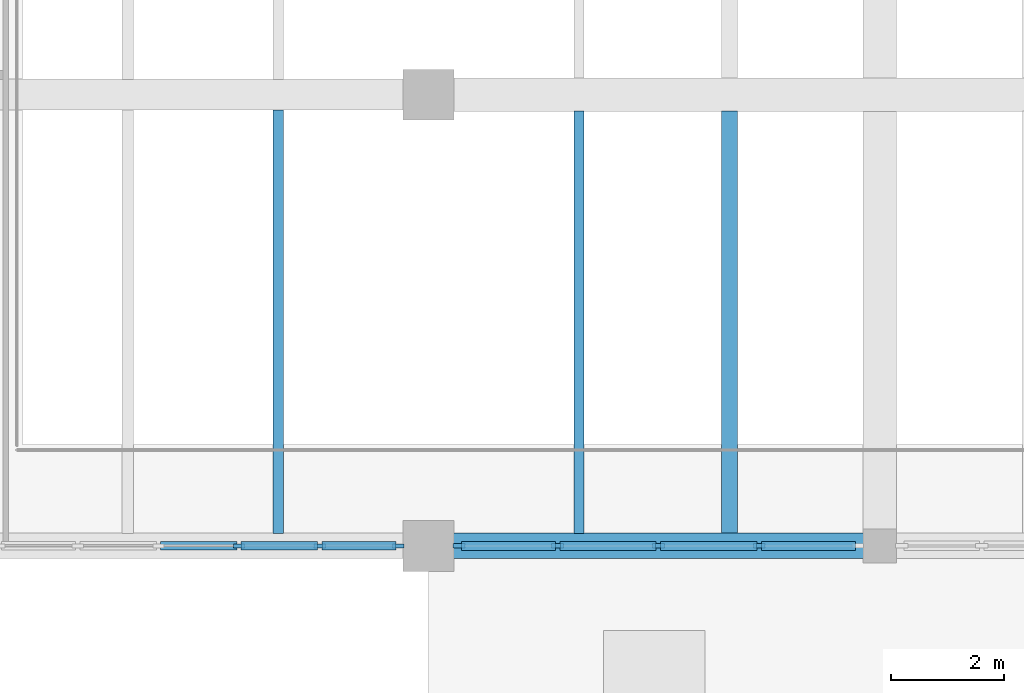
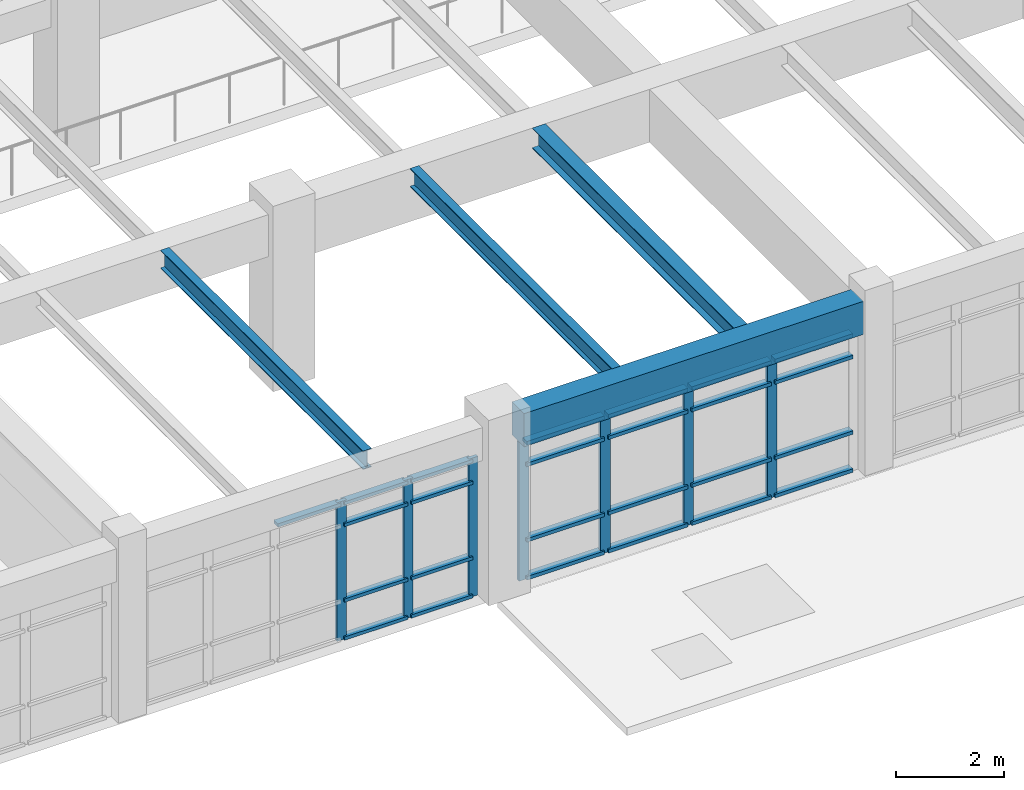
# One storey, part 6 of 67: 32 members, 4 beams, 2 elements without a shape of their own.
"""IFC4 building model written with IfcOpenShell, lengths in metres."""

from ifc_helpers import new_model, si_unit, direction, frame, origin, origin_2d, place, context, subcontext, project, spatial, rectangle, i_section, extrude, material, material_profile, profile_set, type_object, element, aggregate, save


model = new_model("IFC4")

# Units and contexts
model_context = context("Model", 3, precision=1e-05, world=origin(), true_north=direction((0.0, 1.0)))
body_context = subcontext(model_context, "Body", "Model", "MODEL_VIEW")
ifc_project = project(units=[si_unit("LENGTHUNIT", "METRE"), si_unit("AREAUNIT", "SQUARE_METRE"), si_unit("VOLUMEUNIT", "CUBIC_METRE"), si_unit("PLANEANGLEUNIT", "RADIAN"), si_unit("MASSUNIT", "GRAM", prefix="KILO")], contexts=[model_context])

# Site, building, storey
site_placement = place(None, origin())
site = spatial("IfcSite", under=ifc_project, at=site_placement, CompositionType="ELEMENT")
building_placement = place(site_placement, origin())
building = spatial("IfcBuilding", under=site, at=building_placement, Name="Tlaxcora Railside Police Headquarters", CompositionType="ELEMENT")
storey_placement = place(building_placement, frame((0.0, 0.0, 4.800048828125)))
storey = spatial("IfcBuildingStorey", under=building, at=storey_placement, Name="L01", CompositionType="ELEMENT", Elevation=4.800048828125)

# Curtain wall, members
ifc_material_1 = material(Name="Thermally broken low-E insulated glazing", Category="glass")
curtain_wall_type_1 = type_object("IfcCurtainWallType", Name="Unitised Curtain Wall Assembly CW-15", PredefinedType="NOTDEFINED", material=ifc_material_1)
curtain_wall_1_placement = place(storey_placement, origin())
curtain_wall_1 = element("IfcCurtainWall", 1, at=curtain_wall_1_placement, inside=storey, type_object=curtain_wall_type_1, Name="V1 L01 curtain wall 6", PredefinedType="NOTDEFINED")
ifc_material_2 = material(Name="Anodised aluminium framing", Category="aluminium")
ifc_material_profile_1 = material_profile(ifc_material_2, rectangle(XDim=0.074951171875, YDim=0.199951171875, at=origin_2d()), Name="AL75X200")
ifc_profile_set_1 = profile_set([ifc_material_profile_1], Name="Anodised aluminium framing")
member_type_1 = type_object("IfcMemberType", Name="Curtain Wall Mullion CW-58", PredefinedType="MULLION", material=ifc_profile_set_1)
member_1_placement = place(storey_placement, frame((58.639892578125, 36.0, 0.0), z_axis=(0.0, 0.0, 1.0), x_axis=(0.0, 1.0, 0.0)))
member_1 = element("IfcMember", 2, at=member_1_placement, type_object=member_type_1, Name="CW mullion 4", PredefinedType="MULLION", context=body_context, shape_type="SweptSolid", body=[
    extrude(rectangle(XDim=0.074951171875, YDim=0.199951171875, at=origin_2d()), origin(), (0.0, 0.0, 1.0), 3.139892578125),
])
member_2_placement = place(storey_placement, frame((60.070068359375, 36.0, 0.0), z_axis=(0.0, 0.0, 1.0), x_axis=(0.0, 1.0, 0.0)))
member_2 = element("IfcMember", 3, at=member_2_placement, type_object=member_type_1, Name="CW mullion 5", PredefinedType="MULLION", context=body_context, shape_type="SweptSolid", body=[
    extrude(rectangle(XDim=0.074951171875, YDim=0.199951171875, at=origin_2d()), origin(), (0.0, 0.0, 1.0), 3.139892578125),
])
member_3_placement = place(storey_placement, frame((61.46240234375, 36.0, 0.0), z_axis=(0.0, 0.0, 1.0), x_axis=(0.0, 1.0, 0.0)))
member_3 = element("IfcMember", 4, at=member_3_placement, type_object=member_type_1, Name="CW mullion 6", PredefinedType="MULLION", context=body_context, shape_type="SweptSolid", body=[
    extrude(rectangle(XDim=0.074951171875, YDim=0.199951171875, at=origin_2d()), origin(), (0.0, 0.0, 1.0), 3.139892578125),
])

curtain_wall_type_2 = type_object("IfcCurtainWallType", Name="Unitised Curtain Wall Assembly CW-83", PredefinedType="NOTDEFINED", material=ifc_material_1)
curtain_wall_2_placement = place(storey_placement, origin())
curtain_wall_2 = element("IfcCurtainWall", 5, at=curtain_wall_2_placement, inside=storey, type_object=curtain_wall_type_2, Name="V1 L01 curtain wall 7", PredefinedType="NOTDEFINED")
ifc_material_profile_2 = material_profile(ifc_material_2, rectangle(XDim=0.080078125, YDim=0.2099609375, at=origin_2d()), Name="AL80X210")
ifc_profile_set_2 = profile_set([ifc_material_profile_2], Name="Anodised aluminium framing")
member_type_2 = type_object("IfcMemberType", Name="Curtain Wall Mullion CW-76", PredefinedType="MULLION", material=ifc_profile_set_2)
member_4_placement = place(storey_placement, frame((62.5400390625, 36.0, 0.0), z_axis=(0.0, 0.0, 1.0), x_axis=(0.0, 1.0, 0.0)))
member_4 = element("IfcMember", 6, at=member_4_placement, type_object=member_type_2, Name="CW mullion 1", PredefinedType="MULLION", context=body_context, shape_type="SweptSolid", body=[
    extrude(rectangle(XDim=0.080078125, YDim=0.2099609375, at=origin_2d()), origin(), (0.0, 0.0, 1.0), 3.139892578125),
])
member_5_placement = place(storey_placement, frame((64.28759765625, 36.0, 0.0), z_axis=(0.0, 0.0, 1.0), x_axis=(0.0, 1.0, 0.0)))
member_5 = element("IfcMember", 7, at=member_5_placement, type_object=member_type_2, Name="CW mullion 2", PredefinedType="MULLION", context=body_context, shape_type="SweptSolid", body=[
    extrude(rectangle(XDim=0.080078125, YDim=0.2099609375, at=origin_2d()), origin(), (0.0, 0.0, 1.0), 3.139892578125),
])
member_6_placement = place(storey_placement, frame((66.074951171875, 36.0, 0.0), z_axis=(0.0, 0.0, 1.0), x_axis=(0.0, 1.0, 0.0)))
member_6 = element("IfcMember", 8, at=member_6_placement, type_object=member_type_2, Name="CW mullion 3", PredefinedType="MULLION", context=body_context, shape_type="SweptSolid", body=[
    extrude(rectangle(XDim=0.080078125, YDim=0.2099609375, at=origin_2d()), origin(), (0.0, 0.0, 1.0), 3.139892578125),
])
member_7_placement = place(storey_placement, frame((67.862548828125, 36.0, 0.0), z_axis=(0.0, 0.0, 1.0), x_axis=(0.0, 1.0, 0.0)))
member_7 = element("IfcMember", 9, at=member_7_placement, type_object=member_type_2, Name="CW mullion 4", PredefinedType="MULLION", context=body_context, shape_type="SweptSolid", body=[
    extrude(rectangle(XDim=0.080078125, YDim=0.2099609375, at=origin_2d()), origin(), (0.0, 0.0, 1.0), 3.139892578125),
])

# Member
ifc_material_profile_3 = material_profile(ifc_material_2, rectangle(XDim=0.14990234375, YDim=0.074951171875, at=origin_2d()), Name="AL75X150")
ifc_profile_set_3 = profile_set([ifc_material_profile_3], Name="Anodised aluminium framing")
member_type_3 = type_object("IfcMemberType", Name="Curtain Wall Transom CW-28", PredefinedType="USERDEFINED", material=ifc_profile_set_3)
member_8_placement = place(storey_placement, frame((57.24755859375, 36.0, 3.1025390625), z_axis=(1.0, 0.0, 0.0), x_axis=(0.0, 1.0, 0.0)))
member_8 = element("IfcMember", 10, at=member_8_placement, type_object=member_type_3, Name="CW transom 3.4", ObjectType="TRANSOM", PredefinedType="USERDEFINED", context=body_context, shape_type="SweptSolid", body=[
    extrude(rectangle(XDim=0.14990234375, YDim=0.074951171875, at=origin_2d()), origin(), (0.0, 0.0, 1.0), 1.35498046875),
])

member_9_placement = place(storey_placement, frame((58.677490234375, 36.0, 0.037353515625), z_axis=(1.0, 0.0, 0.0), x_axis=(0.0, 1.0, 0.0)))
member_9 = element("IfcMember", 11, at=member_9_placement, type_object=member_type_3, Name="CW transom 4.1", ObjectType="TRANSOM", PredefinedType="USERDEFINED", context=body_context, shape_type="SweptSolid", body=[
    extrude(rectangle(XDim=0.14990234375, YDim=0.074951171875, at=origin_2d()), origin(), (0.0, 0.0, 1.0), 1.35498046875),
])

member_10_placement = place(storey_placement, frame((58.677490234375, 36.0, 0.89990234375), z_axis=(1.0, 0.0, 0.0), x_axis=(0.0, 1.0, 0.0)))
member_10 = element("IfcMember", 12, at=member_10_placement, type_object=member_type_3, Name="CW transom 4.2", ObjectType="TRANSOM", PredefinedType="USERDEFINED", context=body_context, shape_type="SweptSolid", body=[
    extrude(rectangle(XDim=0.14990234375, YDim=0.074951171875, at=origin_2d()), origin(), (0.0, 0.0, 1.0), 1.35498046875),
])

member_11_placement = place(storey_placement, frame((58.677490234375, 36.0, 2.60986328125), z_axis=(1.0, 0.0, 0.0), x_axis=(0.0, 1.0, 0.0)))
member_11 = element("IfcMember", 13, at=member_11_placement, type_object=member_type_3, Name="CW transom 4.3", ObjectType="TRANSOM", PredefinedType="USERDEFINED", context=body_context, shape_type="SweptSolid", body=[
    extrude(rectangle(XDim=0.14990234375, YDim=0.074951171875, at=origin_2d()), origin(), (0.0, 0.0, 1.0), 1.35498046875),
])

member_12_placement = place(storey_placement, frame((58.677490234375, 36.0, 3.1025390625), z_axis=(1.0, 0.0, 0.0), x_axis=(0.0, 1.0, 0.0)))
member_12 = element("IfcMember", 14, at=member_12_placement, type_object=member_type_3, Name="CW transom 4.4", ObjectType="TRANSOM", PredefinedType="USERDEFINED", context=body_context, shape_type="SweptSolid", body=[
    extrude(rectangle(XDim=0.14990234375, YDim=0.074951171875, at=origin_2d()), origin(), (0.0, 0.0, 1.0), 1.35498046875),
])

member_13_placement = place(storey_placement, frame((60.107421875, 36.0, 0.037353515625), z_axis=(1.0, 0.0, 0.0), x_axis=(0.0, 1.0, 0.0)))
member_13 = element("IfcMember", 15, at=member_13_placement, type_object=member_type_3, Name="CW transom 5.1", ObjectType="TRANSOM", PredefinedType="USERDEFINED", context=body_context, shape_type="SweptSolid", body=[
    extrude(rectangle(XDim=0.14990234375, YDim=0.074951171875, at=origin_2d()), origin(), (0.0, 0.0, 1.0), 1.317626953125),
])

member_14_placement = place(storey_placement, frame((60.107421875, 36.0, 0.89990234375), z_axis=(1.0, 0.0, 0.0), x_axis=(0.0, 1.0, 0.0)))
member_14 = element("IfcMember", 16, at=member_14_placement, type_object=member_type_3, Name="CW transom 5.2", ObjectType="TRANSOM", PredefinedType="USERDEFINED", context=body_context, shape_type="SweptSolid", body=[
    extrude(rectangle(XDim=0.14990234375, YDim=0.074951171875, at=origin_2d()), origin(), (0.0, 0.0, 1.0), 1.317626953125),
])

member_15_placement = place(storey_placement, frame((60.107421875, 36.0, 2.60986328125), z_axis=(1.0, 0.0, 0.0), x_axis=(0.0, 1.0, 0.0)))
member_15 = element("IfcMember", 17, at=member_15_placement, type_object=member_type_3, Name="CW transom 5.3", ObjectType="TRANSOM", PredefinedType="USERDEFINED", context=body_context, shape_type="SweptSolid", body=[
    extrude(rectangle(XDim=0.14990234375, YDim=0.074951171875, at=origin_2d()), origin(), (0.0, 0.0, 1.0), 1.317626953125),
])

member_16_placement = place(storey_placement, frame((60.107421875, 36.0, 3.1025390625), z_axis=(1.0, 0.0, 0.0), x_axis=(0.0, 1.0, 0.0)))
member_16 = element("IfcMember", 18, at=member_16_placement, type_object=member_type_3, Name="CW transom 5.4", ObjectType="TRANSOM", PredefinedType="USERDEFINED", context=body_context, shape_type="SweptSolid", body=[
    extrude(rectangle(XDim=0.14990234375, YDim=0.074951171875, at=origin_2d()), origin(), (0.0, 0.0, 1.0), 1.317626953125),
])

aggregate(curtain_wall_1, [member_1, member_2, member_3, member_8, member_9, member_10, member_11, member_12, member_13, member_14, member_15, member_16])

ifc_material_profile_4 = material_profile(ifc_material_2, rectangle(XDim=0.159912109375, YDim=0.080078125, at=origin_2d()), Name="AL80X160")
ifc_profile_set_4 = profile_set([ifc_material_profile_4], Name="Anodised aluminium framing")
member_type_4 = type_object("IfcMemberType", Name="Curtain Wall Transom CW-82", PredefinedType="USERDEFINED", material=ifc_profile_set_4)
member_17_placement = place(storey_placement, frame((62.580078125, 36.0, 0.0400390625), z_axis=(1.0, 0.0, 0.0), x_axis=(0.0, 1.0, 0.0)))
member_17 = element("IfcMember", 19, at=member_17_placement, type_object=member_type_4, Name="CW transom 1.1", ObjectType="TRANSOM", PredefinedType="USERDEFINED", context=body_context, shape_type="SweptSolid", body=[
    extrude(rectangle(XDim=0.159912109375, YDim=0.080078125, at=origin_2d()), origin(), (0.0, 0.0, 1.0), 1.66748046875),
])

member_18_placement = place(storey_placement, frame((62.580078125, 36.0, 0.89990234375), z_axis=(1.0, 0.0, 0.0), x_axis=(0.0, 1.0, 0.0)))
member_18 = element("IfcMember", 20, at=member_18_placement, type_object=member_type_4, Name="CW transom 1.2", ObjectType="TRANSOM", PredefinedType="USERDEFINED", context=body_context, shape_type="SweptSolid", body=[
    extrude(rectangle(XDim=0.159912109375, YDim=0.080078125, at=origin_2d()), origin(), (0.0, 0.0, 1.0), 1.66748046875),
])

member_19_placement = place(storey_placement, frame((62.580078125, 36.0, 2.60986328125), z_axis=(1.0, 0.0, 0.0), x_axis=(0.0, 1.0, 0.0)))
member_19 = element("IfcMember", 21, at=member_19_placement, type_object=member_type_4, Name="CW transom 1.3", ObjectType="TRANSOM", PredefinedType="USERDEFINED", context=body_context, shape_type="SweptSolid", body=[
    extrude(rectangle(XDim=0.159912109375, YDim=0.080078125, at=origin_2d()), origin(), (0.0, 0.0, 1.0), 1.66748046875),
])

member_20_placement = place(storey_placement, frame((62.580078125, 36.0, 3.099853515625), z_axis=(1.0, 0.0, 0.0), x_axis=(0.0, 1.0, 0.0)))
member_20 = element("IfcMember", 22, at=member_20_placement, type_object=member_type_4, Name="CW transom 1.4", ObjectType="TRANSOM", PredefinedType="USERDEFINED", context=body_context, shape_type="SweptSolid", body=[
    extrude(rectangle(XDim=0.159912109375, YDim=0.080078125, at=origin_2d()), origin(), (0.0, 0.0, 1.0), 1.66748046875),
])

member_21_placement = place(storey_placement, frame((64.327392578125, 36.0, 0.0400390625), z_axis=(1.0, 0.0, 0.0), x_axis=(0.0, 1.0, 0.0)))
member_21 = element("IfcMember", 23, at=member_21_placement, type_object=member_type_4, Name="CW transom 2.1", ObjectType="TRANSOM", PredefinedType="USERDEFINED", context=body_context, shape_type="SweptSolid", body=[
    extrude(rectangle(XDim=0.159912109375, YDim=0.080078125, at=origin_2d()), origin(), (0.0, 0.0, 1.0), 1.70751953125),
])

member_22_placement = place(storey_placement, frame((64.327392578125, 36.0, 0.89990234375), z_axis=(1.0, 0.0, 0.0), x_axis=(0.0, 1.0, 0.0)))
member_22 = element("IfcMember", 24, at=member_22_placement, type_object=member_type_4, Name="CW transom 2.2", ObjectType="TRANSOM", PredefinedType="USERDEFINED", context=body_context, shape_type="SweptSolid", body=[
    extrude(rectangle(XDim=0.159912109375, YDim=0.080078125, at=origin_2d()), origin(), (0.0, 0.0, 1.0), 1.70751953125),
])

member_23_placement = place(storey_placement, frame((64.327392578125, 36.0, 2.60986328125), z_axis=(1.0, 0.0, 0.0), x_axis=(0.0, 1.0, 0.0)))
member_23 = element("IfcMember", 25, at=member_23_placement, type_object=member_type_4, Name="CW transom 2.3", ObjectType="TRANSOM", PredefinedType="USERDEFINED", context=body_context, shape_type="SweptSolid", body=[
    extrude(rectangle(XDim=0.159912109375, YDim=0.080078125, at=origin_2d()), origin(), (0.0, 0.0, 1.0), 1.70751953125),
])

member_24_placement = place(storey_placement, frame((64.327392578125, 36.0, 3.099853515625), z_axis=(1.0, 0.0, 0.0), x_axis=(0.0, 1.0, 0.0)))
member_24 = element("IfcMember", 26, at=member_24_placement, type_object=member_type_4, Name="CW transom 2.4", ObjectType="TRANSOM", PredefinedType="USERDEFINED", context=body_context, shape_type="SweptSolid", body=[
    extrude(rectangle(XDim=0.159912109375, YDim=0.080078125, at=origin_2d()), origin(), (0.0, 0.0, 1.0), 1.70751953125),
])

member_25_placement = place(storey_placement, frame((66.114990234375, 36.0, 0.0400390625), z_axis=(1.0, 0.0, 0.0), x_axis=(0.0, 1.0, 0.0)))
member_25 = element("IfcMember", 27, at=member_25_placement, type_object=member_type_4, Name="CW transom 3.1", ObjectType="TRANSOM", PredefinedType="USERDEFINED", context=body_context, shape_type="SweptSolid", body=[
    extrude(rectangle(XDim=0.159912109375, YDim=0.080078125, at=origin_2d()), origin(), (0.0, 0.0, 1.0), 1.70751953125),
])

member_26_placement = place(storey_placement, frame((66.114990234375, 36.0, 0.89990234375), z_axis=(1.0, 0.0, 0.0), x_axis=(0.0, 1.0, 0.0)))
member_26 = element("IfcMember", 28, at=member_26_placement, type_object=member_type_4, Name="CW transom 3.2", ObjectType="TRANSOM", PredefinedType="USERDEFINED", context=body_context, shape_type="SweptSolid", body=[
    extrude(rectangle(XDim=0.159912109375, YDim=0.080078125, at=origin_2d()), origin(), (0.0, 0.0, 1.0), 1.70751953125),
])

member_27_placement = place(storey_placement, frame((66.114990234375, 36.0, 2.60986328125), z_axis=(1.0, 0.0, 0.0), x_axis=(0.0, 1.0, 0.0)))
member_27 = element("IfcMember", 29, at=member_27_placement, type_object=member_type_4, Name="CW transom 3.3", ObjectType="TRANSOM", PredefinedType="USERDEFINED", context=body_context, shape_type="SweptSolid", body=[
    extrude(rectangle(XDim=0.159912109375, YDim=0.080078125, at=origin_2d()), origin(), (0.0, 0.0, 1.0), 1.70751953125),
])

member_28_placement = place(storey_placement, frame((66.114990234375, 36.0, 3.099853515625), z_axis=(1.0, 0.0, 0.0), x_axis=(0.0, 1.0, 0.0)))
member_28 = element("IfcMember", 30, at=member_28_placement, type_object=member_type_4, Name="CW transom 3.4", ObjectType="TRANSOM", PredefinedType="USERDEFINED", context=body_context, shape_type="SweptSolid", body=[
    extrude(rectangle(XDim=0.159912109375, YDim=0.080078125, at=origin_2d()), origin(), (0.0, 0.0, 1.0), 1.70751953125),
])

member_29_placement = place(storey_placement, frame((67.902587890625, 36.0, 0.0400390625), z_axis=(1.0, 0.0, 0.0), x_axis=(0.0, 1.0, 0.0)))
member_29 = element("IfcMember", 31, at=member_29_placement, type_object=member_type_4, Name="CW transom 4.1", ObjectType="TRANSOM", PredefinedType="USERDEFINED", context=body_context, shape_type="SweptSolid", body=[
    extrude(rectangle(XDim=0.159912109375, YDim=0.080078125, at=origin_2d()), origin(), (0.0, 0.0, 1.0), 1.66748046875),
])

member_30_placement = place(storey_placement, frame((67.902587890625, 36.0, 0.89990234375), z_axis=(1.0, 0.0, 0.0), x_axis=(0.0, 1.0, 0.0)))
member_30 = element("IfcMember", 32, at=member_30_placement, type_object=member_type_4, Name="CW transom 4.2", ObjectType="TRANSOM", PredefinedType="USERDEFINED", context=body_context, shape_type="SweptSolid", body=[
    extrude(rectangle(XDim=0.159912109375, YDim=0.080078125, at=origin_2d()), origin(), (0.0, 0.0, 1.0), 1.66748046875),
])

member_31_placement = place(storey_placement, frame((67.902587890625, 36.0, 2.60986328125), z_axis=(1.0, 0.0, 0.0), x_axis=(0.0, 1.0, 0.0)))
member_31 = element("IfcMember", 33, at=member_31_placement, type_object=member_type_4, Name="CW transom 4.3", ObjectType="TRANSOM", PredefinedType="USERDEFINED", context=body_context, shape_type="SweptSolid", body=[
    extrude(rectangle(XDim=0.159912109375, YDim=0.080078125, at=origin_2d()), origin(), (0.0, 0.0, 1.0), 1.66748046875),
])

member_32_placement = place(storey_placement, frame((67.902587890625, 36.0, 3.099853515625), z_axis=(1.0, 0.0, 0.0), x_axis=(0.0, 1.0, 0.0)))
member_32 = element("IfcMember", 34, at=member_32_placement, type_object=member_type_4, Name="CW transom 4.4", ObjectType="TRANSOM", PredefinedType="USERDEFINED", context=body_context, shape_type="SweptSolid", body=[
    extrude(rectangle(XDim=0.159912109375, YDim=0.080078125, at=origin_2d()), origin(), (0.0, 0.0, 1.0), 1.66748046875),
])

aggregate(curtain_wall_2, [member_4, member_5, member_6, member_7, member_17, member_18, member_19, member_20, member_21, member_22, member_23, member_24, member_25, member_26, member_27, member_28, member_29, member_30, member_31, member_32])

# Beams
ifc_material_3 = material(Name="Concrete C40/50", Category="concrete")
ifc_material_profile_5 = material_profile(ifc_material_3, rectangle(XDim=0.449951171875, YDim=0.75, at=origin_2d()), Name="RC450X750")
ifc_profile_set_5 = profile_set([ifc_material_profile_5], Name="Concrete C40/50")
beam_type_1 = type_object("IfcBeamType", Name="Perimeter Spandrel Beam BM-86", PredefinedType="SPANDREL", material=ifc_profile_set_5)
beam_1_placement = place(storey_placement, frame((62.43994140625, 36.0, 3.534912109375), z_axis=(1.0, 0.0, 0.0), x_axis=(0.0, 1.0, 0.0)))
element("IfcBeam", 35, at=beam_1_placement, inside=storey, type_object=beam_type_1, Name="V1 L01 X-girder Y=36.0", PredefinedType="SPANDREL", context=body_context, shape_type="SweptSolid", body=[
    extrude(rectangle(XDim=0.449951171875, YDim=0.75, at=origin_2d()), origin(), (0.0, 0.0, 1.0), 7.27001953125),
])
ifc_material_4 = material(Name="Steel ASTM A992 Grade 50", Category="steel")
ifc_material_profile_6 = material_profile(ifc_material_4, i_section(OverallWidth=0.280029296875, OverallDepth=0.4619140625, WebThickness=0.0107421875, FlangeThickness=0.017333984375, at=origin_2d()), Name="W18X76")
ifc_profile_set_6 = profile_set([ifc_material_profile_6], Name="Steel ASTM A992 Grade 50")
beam_type_2 = type_object("IfcBeamType", Name="Secondary Floor Joist BM-44", PredefinedType="JOIST", material=ifc_profile_set_6)
beam_2_placement = place(storey_placement, frame((67.333251953125, 36.217041015625, 3.678955078125), z_axis=(0.0, 1.0, 0.0), x_axis=(-1.0, 0.0, 0.0)))
element("IfcBeam", 36, at=beam_2_placement, inside=storey, type_object=beam_type_2, Name="V1 L01 floor joist X=67.33", PredefinedType="JOIST", context=body_context, shape_type="SweptSolid", body=[
    extrude(i_section(OverallWidth=0.280029296875, OverallDepth=0.4619140625, WebThickness=0.0107421875, FlangeThickness=0.017333984375, at=origin_2d()), origin(), (0.0, 0.0, 1.0), 7.490966796875),
])
ifc_material_profile_7 = material_profile(ifc_material_4, i_section(OverallWidth=0.180908203125, OverallDepth=0.4169921875, WebThickness=0.010009765625, FlangeThickness=0.018310546875, at=origin_2d()), Name="W16X57")
ifc_profile_set_7 = profile_set([ifc_material_profile_7], Name="Steel ASTM A992 Grade 50")
beam_type_3 = type_object("IfcBeamType", Name="Secondary Floor Joist BM-84", PredefinedType="JOIST", material=ifc_profile_set_7)
beam_3_placement = place(storey_placement, frame((59.333251953125, 36.217041015625, 3.701416015625), z_axis=(0.0, 1.0, 0.0), x_axis=(-1.0, 0.0, 0.0)))
element("IfcBeam", 37, at=beam_3_placement, inside=storey, type_object=beam_type_3, Name="V1 L01 floor joist X=59.33", PredefinedType="JOIST", context=body_context, shape_type="SweptSolid", body=[
    extrude(i_section(OverallWidth=0.180908203125, OverallDepth=0.4169921875, WebThickness=0.010009765625, FlangeThickness=0.018310546875, at=origin_2d()), origin(), (0.0, 0.0, 1.0), 7.515869140625),
])
beam_4_placement = place(storey_placement, frame((64.666748046875, 36.217041015625, 3.701416015625), z_axis=(0.0, 1.0, 0.0), x_axis=(-1.0, 0.0, 0.0)))
element("IfcBeam", 38, at=beam_4_placement, inside=storey, type_object=beam_type_3, Name="V1 L01 floor joist X=64.67", PredefinedType="JOIST", context=body_context, shape_type="SweptSolid", body=[
    extrude(i_section(OverallWidth=0.180908203125, OverallDepth=0.4169921875, WebThickness=0.010009765625, FlangeThickness=0.018310546875, at=origin_2d()), origin(), (0.0, 0.0, 1.0), 7.490966796875),
])

save(model, "model.ifc")
